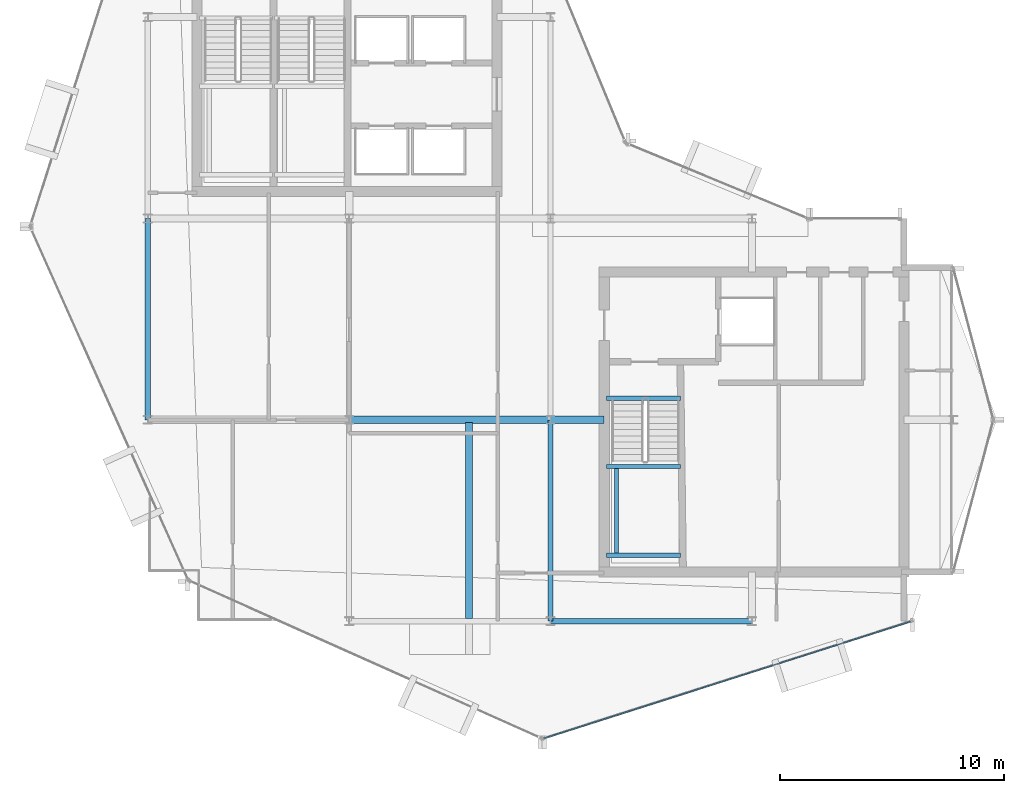
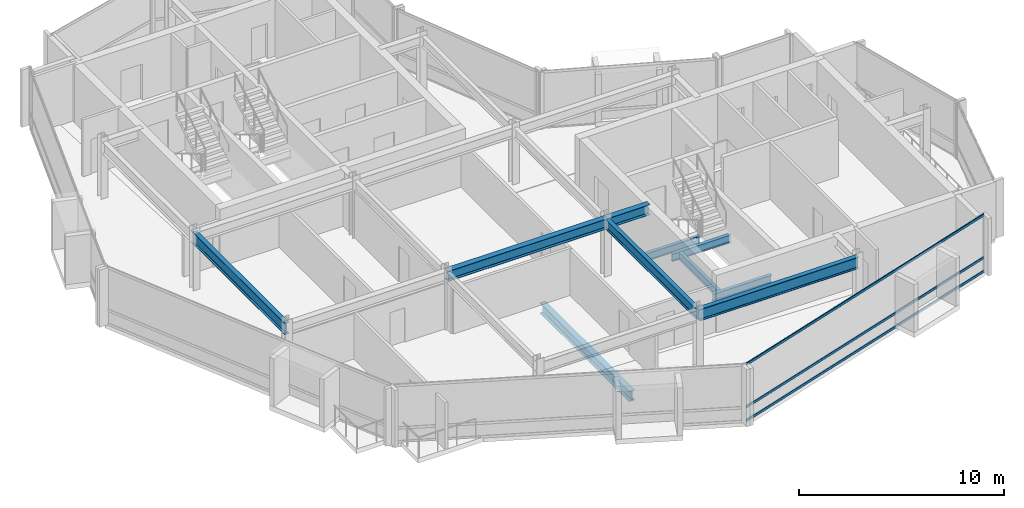
# One storey, part 5 of 19: 10 beams, 3 members, 1 element without a shape of its own.
"""IFC4 building model written with IfcOpenShell, lengths in metres."""

from ifc_helpers import new_model, si_unit, direction, frame, origin, origin_2d, place, context, subcontext, project, spatial, hollow_rectangle, i_section, extrude, material, layer, layer_set, material_profile, profile_set, type_object, element, aggregate, save


model = new_model("IFC4")

# Units and contexts
model_context = context("Model", 3, precision=1e-05, world=origin(), true_north=direction((0.0, 1.0)))
body_context = subcontext(model_context, "Body", "Model", "MODEL_VIEW")
ifc_project = project(units=[si_unit("LENGTHUNIT", "METRE"), si_unit("AREAUNIT", "SQUARE_METRE"), si_unit("VOLUMEUNIT", "CUBIC_METRE"), si_unit("PLANEANGLEUNIT", "RADIAN"), si_unit("MASSUNIT", "GRAM", prefix="KILO")], contexts=[model_context])

# Site, building, storey
site_placement = place(None, origin())
site = spatial("IfcSite", under=ifc_project, at=site_placement, CompositionType="ELEMENT")
building_placement = place(site_placement, origin())
building = spatial("IfcBuilding", under=site, at=building_placement, Name="Solvaryn Broadcast Tower", CompositionType="ELEMENT")
storey_placement = place(building_placement, frame((0.0, 0.0, 277.800048828125)))
storey = spatial("IfcBuildingStorey", under=building, at=storey_placement, Name="L70", CompositionType="ELEMENT", Elevation=277.800048828125)

# Beams
ifc_material_1 = material(Name="Steel ASTM A992 Grade 50", Category="steel")
ifc_material_profile_1 = material_profile(ifc_material_1, i_section(OverallWidth=0.323974609375, OverallDepth=0.611083984375, WebThickness=0.0126953125, FlangeThickness=0.01904296875, FilletRadius=0.014892578125, at=origin_2d()))
ifc_profile_set_1 = profile_set([ifc_material_profile_1], Name="Steel ASTM A992 Grade 50")
beam_type_1 = type_object("IfcBeamType", Name="BM-B1-W24X104", PredefinedType="BEAM", material=ifc_profile_set_1)
beam_1_placement = place(storey_placement, frame((23.35009765625, 17.875, -0.58544921875), z_axis=(0.0, -1.0, 0.0), x_axis=(1.0, 0.0, 0.0)))
element("IfcBeam", 1, at=beam_1_placement, inside=storey, type_object=beam_type_1, Name="L70 Bay-Box Back-Span Beam 1", PredefinedType="BEAM", context=body_context, shape_type="SweptSolid", body=[
    extrude(i_section(OverallWidth=0.323974609375, OverallDepth=0.611083984375, WebThickness=0.0126953125, FlangeThickness=0.01904296875, FilletRadius=0.014892578125, at=origin_2d()), origin(), (0.0, 0.0, 1.0), 8.75),
])
beam_2_placement = place(storey_placement, frame((18.0, 18.0, 3.114501953125), z_axis=(1.0, 0.0, 0.0), x_axis=(0.0, 1.0, 0.0)))
element("IfcBeam", 2, at=beam_2_placement, inside=storey, type_object=beam_type_1, Name="L70 Primary Beam X (18-27 @ Y=18)", PredefinedType="BEAM", context=body_context, shape_type="SweptSolid", body=[
    extrude(i_section(OverallWidth=0.323974609375, OverallDepth=0.611083984375, WebThickness=0.0126953125, FlangeThickness=0.01904296875, FilletRadius=0.014892578125, at=origin_2d()), origin(), (0.0, 0.0, 1.0), 9.0),
])
beam_3_placement = place(storey_placement, frame((27.0, 18.0, 3.114501953125), z_axis=(1.0, 0.0, 0.0), x_axis=(0.0, 1.0, 0.0)))
element("IfcBeam", 3, at=beam_3_placement, inside=storey, type_object=beam_type_1, Name="L70 Core Tie Beam CTE4", PredefinedType="BEAM", context=body_context, shape_type="SweptSolid", body=[
    extrude(i_section(OverallWidth=0.323974609375, OverallDepth=0.611083984375, WebThickness=0.0126953125, FlangeThickness=0.01904296875, FilletRadius=0.014892578125, at=origin_2d()), origin(), (0.0, 0.0, 1.0), 2.39990234375),
])
ifc_material_2 = material(Name="Steel ASTM A992 Grade 50", Category="steel")
ifc_material_profile_2 = material_profile(ifc_material_2, i_section(OverallWidth=0.22802734375, OverallDepth=0.60791015625, WebThickness=0.01123046875, FlangeThickness=0.017333984375, FilletRadius=0.014892578125, at=origin_2d()))
ifc_profile_set_2 = profile_set([ifc_material_profile_2], Name="Steel ASTM A992 Grade 50")
beam_type_2 = type_object("IfcBeamType", Name="BM-B2-W24X76", PredefinedType="BEAM", material=ifc_profile_set_2)
beam_4_placement = place(storey_placement, frame((27.0, 9.0, 3.115966796875), z_axis=(0.0, 1.0, 0.0), x_axis=(-1.0, 0.0, 0.0)))
element("IfcBeam", 4, at=beam_4_placement, inside=storey, type_object=beam_type_2, Name="L70 Primary Beam Y (9-18 @ X=27)", PredefinedType="BEAM", context=body_context, shape_type="SweptSolid", body=[
    extrude(i_section(OverallWidth=0.22802734375, OverallDepth=0.60791015625, WebThickness=0.01123046875, FlangeThickness=0.017333984375, FilletRadius=0.014892578125, at=origin_2d()), origin(), (0.0, 0.0, 1.0), 9.0),
])
ifc_material_3 = material(Name="Steel ASTM A992 Grade 50", Category="steel")
ifc_material_profile_3 = material_profile(ifc_material_3, i_section(OverallWidth=0.18994140625, OverallDepth=0.45703125, WebThickness=0.009033203125, FlangeThickness=0.014404296875, FilletRadius=0.011962890625, at=origin_2d()))
ifc_profile_set_3 = profile_set([ifc_material_profile_3], Name="Steel ASTM A992 Grade 50")
beam_type_3 = type_object("IfcBeamType", Name="BM-B4-W18X50", PredefinedType="BEAM", material=ifc_profile_set_3)
for number, where, z_axis, x_axis, name in (
    (5, (29.5, 18.9599609375, -0.508544921875), (1.0, 0.0, 0.0), (0.0, 1.0, 0.0), "L70 ST3 Stair Well Trimmer Beam"),
    (6, (29.5, 11.949951171875, 1.42138671875), (1.0, 0.0, 0.0), (0.0, 1.0, 0.0), "L70 ST3 Landing Support Beam 1A"),
    (7, (29.5, 15.909912109375, 1.42138671875), (1.0, 0.0, 0.0), (0.0, 1.0, 0.0), "L70 ST3 Landing Support Beam 1B"),
):
    element("IfcBeam", number, at=place(storey_placement, frame(where, z_axis=z_axis, x_axis=x_axis)), inside=storey, type_object=beam_type_3, Name=name, PredefinedType="BEAM", context=body_context, shape_type="SweptSolid", body=[
        extrude(i_section(OverallWidth=0.18994140625, OverallDepth=0.45703125, WebThickness=0.009033203125, FlangeThickness=0.014404296875, FilletRadius=0.011962890625, at=origin_2d()), origin(), (0.0, 0.0, 1.0), 3.320068359375),
    ])
beam_5_placement = place(storey_placement, frame((29.949951171875, 11.949951171875, 1.42138671875), z_axis=(0.0, 1.0, 0.0), x_axis=(-1.0, 0.0, 0.0)))
element("IfcBeam", 8, at=beam_5_placement, inside=storey, type_object=beam_type_3, Name="L70 ST3 Landing Cross Stringer 1C", PredefinedType="BEAM", context=body_context, shape_type="SweptSolid", body=[
    extrude(i_section(OverallWidth=0.18994140625, OverallDepth=0.45703125, WebThickness=0.009033203125, FlangeThickness=0.014404296875, FilletRadius=0.011962890625, at=origin_2d()), origin(), (0.0, 0.0, 1.0), 3.9599609375),
])
ifc_material_4 = material(Name="Steel ASTM A992 Grade 50", Category="steel")
ifc_material_profile_4 = material_profile(ifc_material_4, i_section(OverallWidth=0.256103515625, OverallDepth=0.693115234375, WebThickness=0.014404296875, FlangeThickness=0.023681640625, FilletRadius=0.01611328125, at=origin_2d()))
ifc_profile_set_4 = profile_set([ifc_material_profile_4], Name="Steel ASTM A992 Grade 50")
beam_type_4 = type_object("IfcBeamType", Name="BM-SP3-W27X114", PredefinedType="USERDEFINED", material=ifc_profile_set_4)
for number, where, z_axis, x_axis, name in (
    (9, (27.0, 9.0, 3.073486328125), (1.0, 0.0, 0.0), (0.0, 1.0, 0.0), "L70 Spandrel Beam X (27-36 @ Y=9)"),
    (10, (9.0, 18.0, 3.073486328125), (0.0, 1.0, 0.0), (-1.0, 0.0, 0.0), "L70 Spandrel Beam Y (18-27 @ X=9)"),
):
    element("IfcBeam", number, at=place(storey_placement, frame(where, z_axis=z_axis, x_axis=x_axis)), inside=storey, type_object=beam_type_4, Name=name, ObjectType="SPANDREL", PredefinedType="USERDEFINED", context=body_context, shape_type="SweptSolid", body=[
        extrude(i_section(OverallWidth=0.256103515625, OverallDepth=0.693115234375, WebThickness=0.014404296875, FlangeThickness=0.023681640625, FilletRadius=0.01611328125, at=origin_2d()), origin(), (0.0, 0.0, 1.0), 9.0),
    ])

# Curtain wall, members
ifc_material_5 = material(Name="Aluminium and Terracotta Unitised Curtain Wall", Category="masonry")
ifc_layer = layer(ifc_material_5, 0.199951171875)
ifc_layer_set = layer_set([ifc_layer], Name="CW-SYS2-LOWMID")
curtain_wall_type = type_object("IfcCurtainWallType", Name="CW-SYS2-LOWMID", PredefinedType="NOTDEFINED", material=ifc_layer_set)
curtain_wall_placement = place(storey_placement, origin())
curtain_wall = element("IfcCurtainWall", 11, at=curtain_wall_placement, inside=storey, type_object=curtain_wall_type, Name="L70 Curtain Wall DR4", PredefinedType="NOTDEFINED")
ifc_material_6 = material(Name="Anodised Aluminium 6063-T6", Category="aluminium")
ifc_material_profile_5 = material_profile(ifc_material_6, hollow_rectangle(XDim=0.06494140625, YDim=0.14990234375, WallThickness=0.00390625, InnerFilletRadius=0.00390625, OuterFilletRadius=0.008056640625, at=origin_2d()))
ifc_profile_set_5 = profile_set([ifc_material_profile_5], Name="Anodised Aluminium 6063-T6")
member_type = type_object("IfcMemberType", Name="CW-TRN-150", PredefinedType="USERDEFINED", material=ifc_profile_set_5)
member_1_placement = place(storey_placement, frame((26.693115234375, 3.756103515625, 0.030029296875), z_axis=(0.952794352661, 0.303616405252, 0.0), x_axis=(-0.303616405252, 0.952794352661, 0.0)))
member_1 = element("IfcMember", 12, at=member_1_placement, type_object=member_type, Name="CWS2 transom 1.1", ObjectType="TRANSOM", PredefinedType="USERDEFINED", context=body_context, shape_type="SweptSolid", body=[
    extrude(hollow_rectangle(XDim=0.06494140625, YDim=0.14990234375, WallThickness=0.00390625, InnerFilletRadius=0.00390625, OuterFilletRadius=0.008056640625, at=origin_2d()), origin(), (0.0, 0.0, 1.0), 17.211181640625),
])
member_2_placement = place(storey_placement, frame((26.693115234375, 3.756103515625, 0.849853515625), z_axis=(0.952794352661, 0.303616405252, 0.0), x_axis=(-0.303616405252, 0.952794352661, 0.0)))
member_2 = element("IfcMember", 13, at=member_2_placement, type_object=member_type, Name="CWS2 transom 1.2", ObjectType="TRANSOM", PredefinedType="USERDEFINED", context=body_context, shape_type="SweptSolid", body=[
    extrude(hollow_rectangle(XDim=0.06494140625, YDim=0.14990234375, WallThickness=0.00390625, InnerFilletRadius=0.00390625, OuterFilletRadius=0.008056640625, at=origin_2d()), origin(), (0.0, 0.0, 1.0), 17.211181640625),
])
member_3_placement = place(storey_placement, frame((26.693115234375, 3.756103515625, 3.389892578125), z_axis=(0.952794352661, 0.303616405252, 0.0), x_axis=(-0.303616405252, 0.952794352661, 0.0)))
member_3 = element("IfcMember", 14, at=member_3_placement, type_object=member_type, Name="CWS2 transom 1.3", ObjectType="TRANSOM", PredefinedType="USERDEFINED", context=body_context, shape_type="SweptSolid", body=[
    extrude(hollow_rectangle(XDim=0.06494140625, YDim=0.14990234375, WallThickness=0.00390625, InnerFilletRadius=0.00390625, OuterFilletRadius=0.008056640625, at=origin_2d()), origin(), (0.0, 0.0, 1.0), 17.211181640625),
])
aggregate(curtain_wall, [member_1, member_2, member_3])

save(model, "model.ifc")
